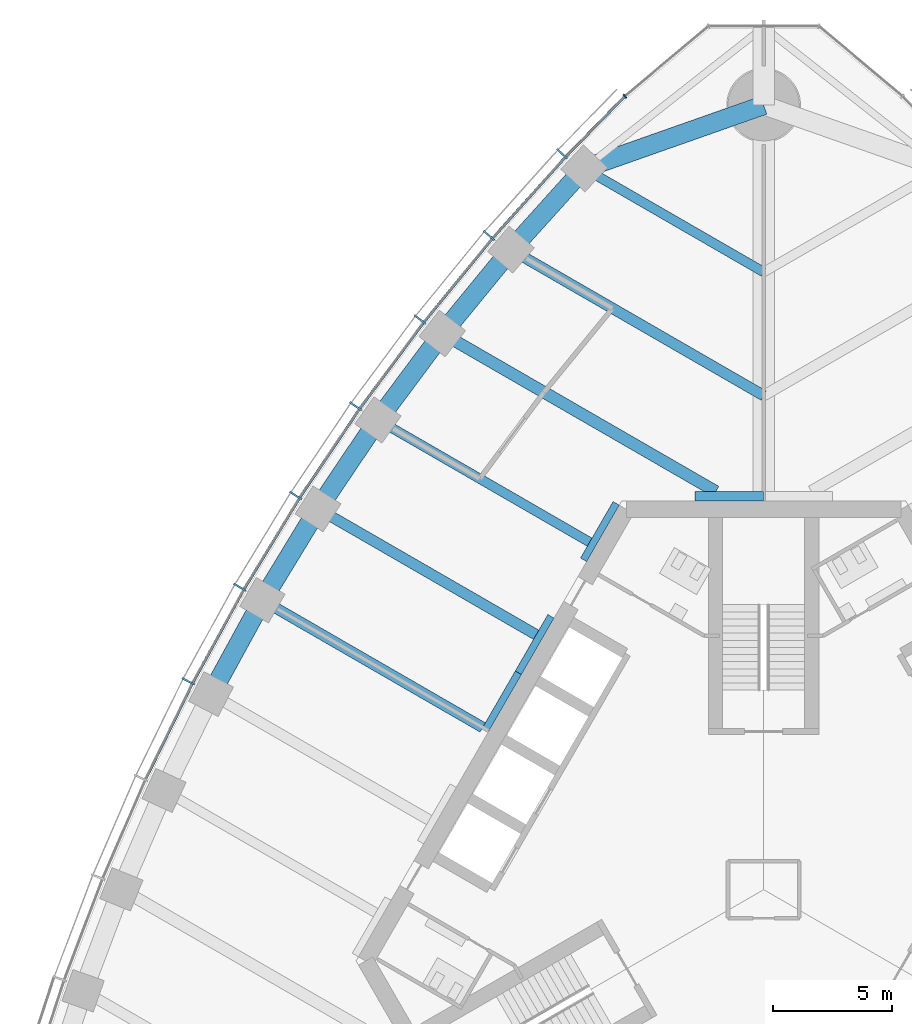
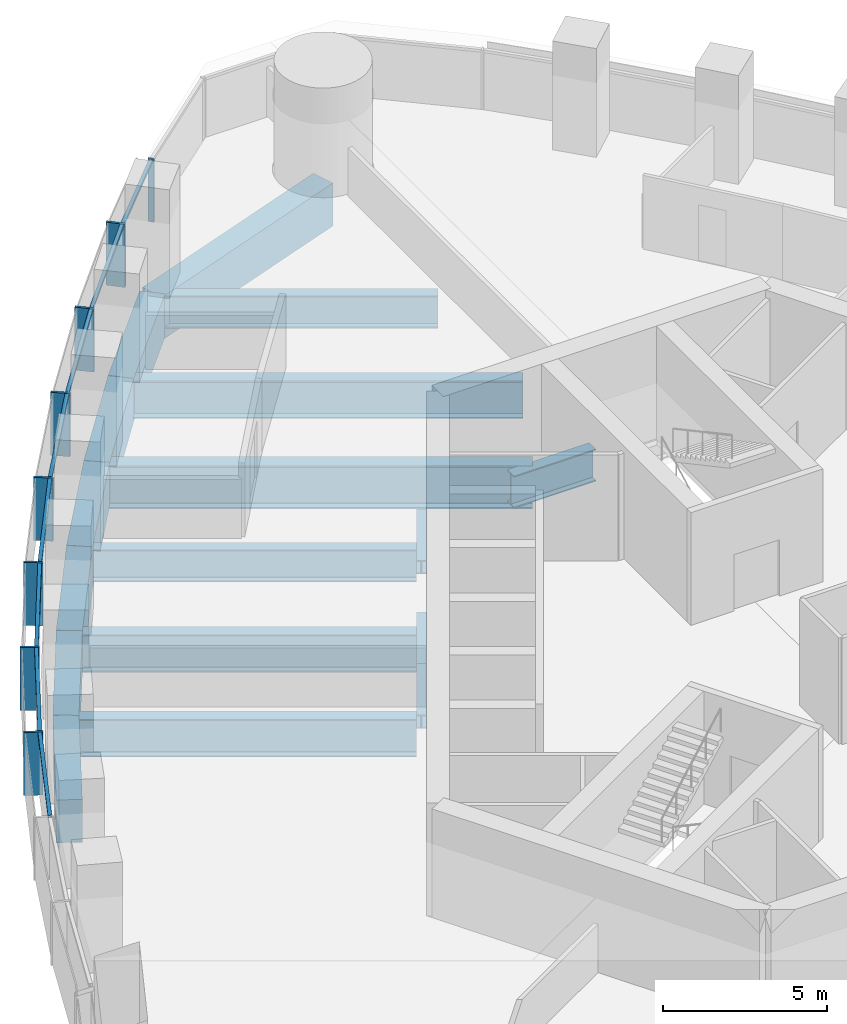
# One storey, part 5 of 19: 17 beams, 16 members, 2 elements without a shape of their own.
"""IFC4 building model written with IfcOpenShell, lengths in metres."""

import ifcopenshell
import ifcopenshell.guid

model = None  # the IFC model being written
_history = None  # IfcOwnerHistory: only IFC2X3 demands one
_inside = {}  # id of a spatial element -> (the spatial element, [elements in it])
_under = {}  # id of a project, library or spatial element -> (it, [spatial elements below it])
_declared = {}  # id of a project -> (the project, [libraries it declares])
_typed = {}  # id of a type object -> (the type object, [elements of that type])
_made_of = {}  # id of a material, layer set ... -> (it, [elements and type objects made of it])


def new_model(schema):
    """Start an empty IFC model of exactly this schema.

    Asked for "IFC4X3", IfcOpenShell would pick the latest addendum, in which some entities
    have other attributes; the version numbers below select the first issue.
    IFC2X3 requires an IfcOwnerHistory on every rooted entity: one is made here for all.
    """
    global model, _history
    if schema == "IFC4X3":
        model = ifcopenshell.file(schema_version=(4, 3, 0, 0))
    else:
        model = ifcopenshell.file(schema=schema)
    _inside.clear()
    _under.clear()
    _declared.clear()
    _typed.clear()
    _made_of.clear()
    _history = None
    if model.schema == "IFC2X3":
        org = make("IfcOrganization", Name="unknown")
        user = make(
            "IfcPersonAndOrganization",
            ThePerson=make("IfcPerson", FamilyName="unknown"),
            TheOrganization=org,
        )
        app = make(
            "IfcApplication",
            ApplicationDeveloper=org,
            Version="unknown",
            ApplicationFullName="unknown",
            ApplicationIdentifier="unknown",
        )
        _history = make(
            "IfcOwnerHistory",
            OwningUser=user,
            OwningApplication=app,
            ChangeAction="ADDED",
            CreationDate=0,
        )
    return model


def make(cls, **values):
    """One entity of the class cls with the attributes given. An attribute that is None is left unset."""
    return model.create_entity(
        cls, **{name: value for name, value in values.items() if value is not None}
    )


def rooted(cls, **values):
    """An entity with a GlobalId (a new one), such as an element, a storey or a relation."""
    return make(cls, GlobalId=ifcopenshell.guid.new(), OwnerHistory=_history, **values)


def si_unit(unit_type, name, prefix=None):
    """IfcSIUnit, for example si_unit("LENGTHUNIT", "METRE", prefix="MILLI")."""
    return make("IfcSIUnit", UnitType=unit_type, Prefix=prefix, Name=name)


def assignment(units):
    """IfcUnitAssignment: the units of a project."""
    return None if units is None else make("IfcUnitAssignment", Units=units)


def point(xyz):
    """IfcCartesianPoint."""
    return None if xyz is None else make("IfcCartesianPoint", Coordinates=xyz)


def direction(xyz):
    """IfcDirection."""
    return None if xyz is None else make("IfcDirection", DirectionRatios=xyz)


def frame(location, z_axis=None, x_axis=None):
    """IfcAxis2Placement3D, a coordinate frame: its origin and axes. An axis left out is left unset."""
    return make(
        "IfcAxis2Placement3D",
        Location=point(location),
        Axis=direction(z_axis),
        RefDirection=direction(x_axis),
    )


def frame_2d(location, x_axis=None):
    """IfcAxis2Placement2D, a coordinate frame in the plane: its origin and x axis."""
    return make(
        "IfcAxis2Placement2D", Location=point(location), RefDirection=direction(x_axis)
    )


def origin():
    """The frame at (0, 0, 0) with its axes left unset."""
    return frame((0.0, 0.0, 0.0))


def origin_2d():
    """The frame at (0, 0) in the plane with its x axis left unset."""
    return frame_2d((0.0, 0.0))


def place(relative_to, where):
    """IfcLocalPlacement: puts the frame where relative to a parent placement (None: the world)."""
    return make(
        "IfcLocalPlacement", PlacementRelTo=relative_to, RelativePlacement=where
    )


def context(
    kind, dimensions, precision=None, world=None, true_north=None, identifier=None
):
    """IfcGeometricRepresentationContext, for example the 3D "Model" context."""
    return make(
        "IfcGeometricRepresentationContext",
        ContextIdentifier=identifier,
        ContextType=kind,
        CoordinateSpaceDimension=dimensions,
        Precision=precision,
        WorldCoordinateSystem=world,
        TrueNorth=true_north,
    )


def subcontext(parent, identifier, kind, view, scale=None):
    """IfcGeometricRepresentationSubContext, for example "Body" below "Model"."""
    return make(
        "IfcGeometricRepresentationSubContext",
        ContextIdentifier=identifier,
        ContextType=kind,
        ParentContext=parent,
        TargetScale=scale,
        TargetView=view,
    )


def project(units=None, contexts=None):
    """IfcProject with its units and contexts."""
    return rooted(
        "IfcProject",
        Name="project",
        RepresentationContexts=contexts,
        UnitsInContext=assignment(units),
    )


def spatial(cls, under=None, at=None, **own):
    """A site, building, storey or space (cls), placed at a placement, below another one or the project."""
    s = rooted(cls, ObjectPlacement=at, **own)
    if under is not None:
        _under.setdefault(under.id(), (under, []))[1].append(s)
    return s


def profile(cls, at=None, kind="AREA", **sizes):
    """A parametric profile (cls). Its sizes go by their IFC names, for example OverallWidth=200.0."""
    return make(cls, ProfileType=kind, Position=at, **sizes)


def rectangle(**sizes):
    """IfcRectangleProfileDef."""
    return profile("IfcRectangleProfileDef", **sizes)


def i_section(**sizes):
    """IfcIShapeProfileDef."""
    return profile("IfcIShapeProfileDef", **sizes)


def extrude(swept, where, along, depth):
    """IfcExtrudedAreaSolid: the profile swept, set in the frame where, extruded along a direction by depth."""
    return make(
        "IfcExtrudedAreaSolid",
        SweptArea=swept,
        Position=where,
        ExtrudedDirection=direction(along),
        Depth=depth,
    )


def shape(context_of_items, identifier, shape_type, items):
    """IfcShapeRepresentation: the items that make up one representation, for example the "Body"."""
    return make(
        "IfcShapeRepresentation",
        ContextOfItems=context_of_items,
        RepresentationIdentifier=identifier,
        RepresentationType=shape_type,
        Items=items,
    )


def material(Name=None, Category=None):
    """IfcMaterial."""
    return make("IfcMaterial", Name=Name, Category=Category)


def material_profile(
    of_material, cross_section, Name=None, Category=None, Priority=None
):
    """IfcMaterialProfile: a cross section and its material."""
    return make(
        "IfcMaterialProfile",
        Name=Name,
        Material=of_material,
        Profile=cross_section,
        Priority=Priority,
        Category=Category,
    )


def profile_set(profiles, Name=None, composite=None):
    """IfcMaterialProfileSet."""
    return make(
        "IfcMaterialProfileSet",
        Name=Name,
        MaterialProfiles=profiles,
        CompositeProfile=composite,
    )


def made_of(thing, what):
    """Note that an element or type object is made of a material, layer set ...; save() writes the relation."""
    if what is not None:
        _made_of.setdefault(what.id(), (what, []))[1].append(thing)
    return thing


def type_object(cls, material=None, **own):
    """A type object (cls), such as IfcWallType, which elements share."""
    return made_of(rooted(cls, **own), material)


def element(
    cls,
    number,
    at=None,
    inside=None,
    cuts=None,
    type_object=None,
    material=None,
    context=None,
    identifier="Body",
    shape_type=None,
    held_by="IfcProductDefinitionShape",
    body=None,
    shapes=None,
    **own,
):
    """One element of the class cls, such as IfcWall. Its Tag is "e" and its number.

    at: its placement. inside: the storey or other place that contains it. cuts: it is an
    opening in that element (IfcRelVoidsElement). A single representation is given by context,
    identifier, shape_type and body (its items); several are given by shapes. held_by: the class
    of the entity that holds the representations. save() writes the other relations.
    """
    e = rooted(cls, Tag="e%d" % number, ObjectPlacement=at, **own)
    if body is not None:
        shapes = [shape(context, identifier, shape_type, body)]
    if shapes is not None:
        e.Representation = make(held_by, Representations=shapes)
    if inside is not None:
        _inside.setdefault(inside.id(), (inside, []))[1].append(e)
    if cuts is not None:
        rooted(
            "IfcRelVoidsElement", RelatingBuildingElement=cuts, RelatedOpeningElement=e
        )
    if type_object is not None:
        _typed.setdefault(type_object.id(), (type_object, []))[1].append(e)
    return made_of(e, material)


def aggregate(whole, parts):
    """IfcRelAggregates: a whole, such as a stair, and the parts it consists of."""
    return rooted("IfcRelAggregates", RelatingObject=whole, RelatedObjects=parts)


def save(model, path):
    """Write the relations noted so far, then the file.

    IfcRelAggregates (storeys below a building ...), IfcRelContainedInSpatialStructure (elements
    in a storey), IfcRelDefinesByType, IfcRelAssociatesMaterial and IfcRelDeclares: one each for
    every whole, place, type object, material and project.
    """
    for whole, parts in _under.values():
        aggregate(whole, parts)
    for where, things in _inside.values():
        rooted(
            "IfcRelContainedInSpatialStructure",
            RelatedElements=things,
            RelatingStructure=where,
        )
    for kind, things in _typed.values():
        rooted("IfcRelDefinesByType", RelatedObjects=things, RelatingType=kind)
    for what, things in _made_of.values():
        rooted("IfcRelAssociatesMaterial", RelatedObjects=things, RelatingMaterial=what)
    for by, libraries in _declared.values():
        rooted("IfcRelDeclares", RelatingContext=by, RelatedDefinitions=libraries)
    model.write(path)


model = new_model("IFC4")

# Units and contexts
model_context = context("Model", 3, precision=1e-05, world=origin(), true_north=direction((0.0, 1.0)))
body_context = subcontext(model_context, "Body", "Model", "MODEL_VIEW")
ifc_project = project(units=[si_unit("LENGTHUNIT", "METRE"), si_unit("AREAUNIT", "SQUARE_METRE"), si_unit("VOLUMEUNIT", "CUBIC_METRE"), si_unit("PLANEANGLEUNIT", "RADIAN"), si_unit("MASSUNIT", "GRAM", prefix="KILO")], contexts=[model_context])

# Site, building, storey
site_placement = place(None, origin())
site = spatial("IfcSite", under=ifc_project, at=site_placement, CompositionType="ELEMENT")
building_placement = place(site_placement, origin())
building = spatial("IfcBuilding", under=site, at=building_placement, Name="Trefoil Bronze Tower", CompositionType="ELEMENT")
storey_placement = place(building_placement, frame((0.0, 0.0, 261.10009765625)))
storey = spatial("IfcBuildingStorey", under=building, at=storey_placement, Name="L60", CompositionType="ELEMENT", Elevation=261.10009765625)

# Curtain wall, members
ifc_material_1 = material(Name="Tinted solar-control glass", Category="glass")
curtain_wall_type_1 = type_object("IfcCurtainWallType", Name="Bronze office curtain wall", PredefinedType="USERDEFINED", material=ifc_material_1)
curtain_wall_1_placement = place(storey_placement, origin())
curtain_wall_1 = element("IfcCurtainWall", 1, at=curtain_wall_1_placement, inside=storey, type_object=curtain_wall_type_1, Name="CW-A L60 F3", ObjectType="CURTAIN WALL", PredefinedType="USERDEFINED")
ifc_material_2 = material(Name="Bronze-finish aluminium", Category="aluminium")
ifc_material_profile_1 = material_profile(ifc_material_2, rectangle(XDim=0.60009765625, YDim=0.080078125, at=origin_2d()), Name="CW-A mullion")
ifc_profile_set_1 = profile_set([ifc_material_profile_1], Name="Bronze-finish aluminium")
member_type_1 = type_object("IfcMemberType", Name="Bronze office curtain wall mullion", PredefinedType="MULLION", material=ifc_profile_set_1)
member_1_placement = place(storey_placement, frame((-8.482177734375, 30.95654296875, 0.0), z_axis=(0.0, 0.0, 1.0), x_axis=(0.729859580661, -0.683597098091, 0.0)))
member_1 = element("IfcMember", 2, at=member_1_placement, type_object=member_type_1, Name="CW-A L60 F3 mullion 2", PredefinedType="MULLION", context=body_context, shape_type="SweptSolid", body=[
    extrude(rectangle(XDim=0.60009765625, YDim=0.080078125, at=origin_2d()), origin(), (0.0, 0.0, 1.0), 2.349853515625),
])
member_2_placement = place(storey_placement, frame((-11.564697265625, 27.525146484375, 0.0), z_axis=(0.0, 0.0, 1.0), x_axis=(0.75935470958, -0.650676897576, 0.0)))
member_2 = element("IfcMember", 3, at=member_2_placement, type_object=member_type_1, Name="CW-A L60 F3 mullion 3", PredefinedType="MULLION", context=body_context, shape_type="SweptSolid", body=[
    extrude(rectangle(XDim=0.60009765625, YDim=0.080078125, at=origin_2d()), origin(), (0.0, 0.0, 1.0), 2.349853515625),
])
member_3_placement = place(storey_placement, frame((-14.45849609375, 23.98388671875, 0.0), z_axis=(0.0, 0.0, 1.0), x_axis=(0.788821461078, -0.614622406476, 0.0)))
member_3 = element("IfcMember", 4, at=member_3_placement, type_object=member_type_1, Name="CW-A L60 F3 mullion 4", PredefinedType="MULLION", context=body_context, shape_type="SweptSolid", body=[
    extrude(rectangle(XDim=0.60009765625, YDim=0.080078125, at=origin_2d()), origin(), (0.0, 0.0, 1.0), 2.349853515625),
])
member_4_placement = place(storey_placement, frame((-17.167236328125, 20.335693359375, 0.0), z_axis=(0.0, 0.0, 1.0), x_axis=(0.81640398396, -0.577481198806, 0.0)))
member_4 = element("IfcMember", 5, at=member_4_placement, type_object=member_type_1, Name="CW-A L60 F3 mullion 5", PredefinedType="MULLION", context=body_context, shape_type="SweptSolid", body=[
    extrude(rectangle(XDim=0.60009765625, YDim=0.080078125, at=origin_2d()), origin(), (0.0, 0.0, 1.0), 2.349853515625),
])
member_5_placement = place(storey_placement, frame((-19.694091796875, 16.58251953125, 0.0), z_axis=(0.0, 0.0, 1.0), x_axis=(0.842132664593, -0.539270410114, 0.0)))
member_5 = element("IfcMember", 6, at=member_5_placement, type_object=member_type_1, Name="CW-A L60 F3 mullion 6", PredefinedType="MULLION", context=body_context, shape_type="SweptSolid", body=[
    extrude(rectangle(XDim=0.60009765625, YDim=0.080078125, at=origin_2d()), origin(), (0.0, 0.0, 1.0), 2.349853515625),
])
member_6_placement = place(storey_placement, frame((-22.041015625, 12.725341796875, 0.0), z_axis=(0.0, 0.0, 1.0), x_axis=(0.866025403784, -0.5, 0.0)))
member_6 = element("IfcMember", 7, at=member_6_placement, type_object=member_type_1, Name="CW-A L60 F3 mullion 7", PredefinedType="MULLION", context=body_context, shape_type="SweptSolid", body=[
    extrude(rectangle(XDim=0.60009765625, YDim=0.080078125, at=origin_2d()), origin(), (0.0, 0.0, 1.0), 2.349853515625),
])
member_7_placement = place(storey_placement, frame((-24.2080078125, 8.764404296875, 0.0), z_axis=(0.0, 0.0, 1.0), x_axis=(0.888088206965, -0.459673075837, 0.0)))
member_7 = element("IfcMember", 8, at=member_7_placement, type_object=member_type_1, Name="CW-A L60 F3 mullion 8", PredefinedType="MULLION", context=body_context, shape_type="SweptSolid", body=[
    extrude(rectangle(XDim=0.60009765625, YDim=0.080078125, at=origin_2d()), origin(), (0.0, 0.0, 1.0), 2.349853515625),
])
ifc_material_3 = material(Name="Bronze-finish aluminium", Category="aluminium")
ifc_material_profile_2 = material_profile(ifc_material_3, rectangle(XDim=0.1201171875, YDim=0.10009765625, at=origin_2d()), Name="CW-A transom")
ifc_profile_set_2 = profile_set([ifc_material_profile_2], Name="Bronze-finish aluminium")
member_type_2 = type_object("IfcMemberType", Name="Bronze office curtain wall transom", PredefinedType="USERDEFINED", material=ifc_profile_set_2)
member_8_placement = place(storey_placement, frame((-5.873046875, 33.342529296875, 2.2998046875), z_axis=(-0.698646935368, -0.715466602785, 0.0), x_axis=(0.715466602785, -0.698646935368, 0.0)))
member_8 = element("IfcMember", 9, at=member_8_placement, type_object=member_type_2, Name="CW-A L60 F3 transom 1", ObjectType="TRANSOM", PredefinedType="USERDEFINED", context=body_context, shape_type="SweptSolid", body=[
    extrude(rectangle(XDim=0.1201171875, YDim=0.10009765625, at=origin_2d()), origin(), (0.0, 0.0, 1.0), 3.483642578125),
])
member_9_placement = place(storey_placement, frame((-8.364501953125, 30.78857421875, 2.2998046875), z_axis=(-0.66825109551, -0.743935799213, 0.0), x_axis=(0.743935799213, -0.66825109551, 0.0)))
member_9 = element("IfcMember", 10, at=member_9_placement, type_object=member_type_2, Name="CW-A L60 F3 transom 2", ObjectType="TRANSOM", PredefinedType="USERDEFINED", context=body_context, shape_type="SweptSolid", body=[
    extrude(rectangle(XDim=0.1201171875, YDim=0.10009765625, at=origin_2d()), origin(), (0.0, 0.0, 1.0), 4.519287109375),
])
member_10_placement = place(storey_placement, frame((-11.439453125, 27.3623046875, 2.2998046875), z_axis=(-0.632756871921, -0.774350528531, 0.0), x_axis=(0.774350528531, -0.632756871921, 0.0)))
member_10 = element("IfcMember", 11, at=member_10_placement, type_object=member_type_2, Name="CW-A L60 F3 transom 3", ObjectType="TRANSOM", PredefinedType="USERDEFINED", context=body_context, shape_type="SweptSolid", body=[
    extrude(rectangle(XDim=0.1201171875, YDim=0.10009765625, at=origin_2d()), origin(), (0.0, 0.0, 1.0), 4.4794921875),
])
member_11_placement = place(storey_placement, frame((-14.325927734375, 23.826904296875, 2.2998046875), z_axis=(-0.59614822717, -0.802874393191, 0.0), x_axis=(0.802874393191, -0.59614822717, 0.0)))
member_11 = element("IfcMember", 12, at=member_11_placement, type_object=member_type_2, Name="CW-A L60 F3 transom 4", ObjectType="TRANSOM", PredefinedType="USERDEFINED", context=body_context, shape_type="SweptSolid", body=[
    extrude(rectangle(XDim=0.1201171875, YDim=0.10009765625, at=origin_2d()), origin(), (0.0, 0.0, 1.0), 4.449951171875),
])
member_12_placement = place(storey_placement, frame((-17.027587890625, 20.18505859375, 2.2998046875), z_axis=(-0.558509087547, -0.829498402125, 0.0), x_axis=(0.829498402125, -0.558509087547, 0.0)))
member_12 = element("IfcMember", 13, at=member_12_placement, type_object=member_type_2, Name="CW-A L60 F3 transom 5", ObjectType="TRANSOM", PredefinedType="USERDEFINED", context=body_context, shape_type="SweptSolid", body=[
    extrude(rectangle(XDim=0.1201171875, YDim=0.10009765625, at=origin_2d()), origin(), (0.0, 0.0, 1.0), 4.4306640625),
])
member_13_placement = place(storey_placement, frame((-19.5478515625, 16.4384765625, 2.2998046875), z_axis=(-0.519740214649, -0.854324358354, 0.0), x_axis=(0.854324358354, -0.519740214649, 0.0)))
member_13 = element("IfcMember", 14, at=member_13_placement, type_object=member_type_2, Name="CW-A L60 F3 transom 6", ObjectType="TRANSOM", PredefinedType="USERDEFINED", context=body_context, shape_type="SweptSolid", body=[
    extrude(rectangle(XDim=0.1201171875, YDim=0.10009765625, at=origin_2d()), origin(), (0.0, 0.0, 1.0), 4.421142578125),
])
member_14_placement = place(storey_placement, frame((-21.887939453125, 12.588134765625, 2.2998046875), z_axis=(-0.479973729071, -0.877282861683, 0.0), x_axis=(0.877282861683, -0.479973729071, 0.0)))
member_14 = element("IfcMember", 15, at=member_14_placement, type_object=member_type_2, Name="CW-A L60 F3 transom 7", ObjectType="TRANSOM", PredefinedType="USERDEFINED", context=body_context, shape_type="SweptSolid", body=[
    extrude(rectangle(XDim=0.1201171875, YDim=0.10009765625, at=origin_2d()), origin(), (0.0, 0.0, 1.0), 4.421142578125),
])
member_15_placement = place(storey_placement, frame((-24.048828125, 8.634521484375, 2.2998046875), z_axis=(-0.439150835991, -0.898413347657, 0.0), x_axis=(0.898413347657, -0.439150835991, 0.0)))
member_15 = element("IfcMember", 16, at=member_15_placement, type_object=member_type_2, Name="CW-A L60 F3 transom 8", ObjectType="TRANSOM", PredefinedType="USERDEFINED", context=body_context, shape_type="SweptSolid", body=[
    extrude(rectangle(XDim=0.1201171875, YDim=0.10009765625, at=origin_2d()), origin(), (0.0, 0.0, 1.0), 4.430908203125),
])
aggregate(curtain_wall_1, [member_1, member_2, member_3, member_4, member_5, member_6, member_7, member_8, member_9, member_10, member_11, member_12, member_13, member_14, member_15])

# Curtain wall, member
ifc_material_4 = material(Name="Tinted solar-control glass", Category="glass")
curtain_wall_type_2 = type_object("IfcCurtainWallType", Name="Bronze rounded corner curtain wall", PredefinedType="USERDEFINED", material=ifc_material_4)
curtain_wall_2_placement = place(storey_placement, origin())
curtain_wall_2 = element("IfcCurtainWall", 17, at=curtain_wall_2_placement, inside=storey, type_object=curtain_wall_type_2, Name="CW-B L60 K2", ObjectType="CURTAIN WALL", PredefinedType="USERDEFINED")
ifc_material_5 = material(Name="Bronze-finish aluminium", Category="aluminium")
ifc_material_profile_3 = material_profile(ifc_material_5, rectangle(XDim=0.199951171875, YDim=0.06005859375, at=origin_2d()), Name="CW-B mullion")
ifc_profile_set_3 = profile_set([ifc_material_profile_3], Name="Bronze-finish aluminium")
member_type_3 = type_object("IfcMemberType", Name="Bronze rounded corner curtain wall mullion", PredefinedType="MULLION", material=ifc_profile_set_3)
member_16_placement = place(storey_placement, frame((-5.837890625, 33.3779296875, 0.0), z_axis=(0.0, 0.0, 1.0), x_axis=(0.642787609687, -0.766044443119, 0.0)))
member_16 = element("IfcMember", 18, at=member_16_placement, type_object=member_type_3, Name="CW-B L60 K2 mullion 4", PredefinedType="MULLION", context=body_context, shape_type="SweptSolid", body=[
    extrude(rectangle(XDim=0.199951171875, YDim=0.06005859375, at=origin_2d()), origin(), (0.0, 0.0, 1.0), 2.349853515625),
])
aggregate(curtain_wall_2, [member_16])

# Beams
ifc_material_6 = material(Name="Steel C355", Category="steel")
ifc_material_profile_4 = material_profile(ifc_material_6, i_section(OverallWidth=0.300048828125, OverallDepth=0.5, WebThickness=0.014404296875, FlangeThickness=0.028076171875, FilletRadius=0.027099609375, at=origin_2d()), Name="HEB 500")
ifc_profile_set_4 = profile_set([ifc_material_profile_4], Name="Steel C355")
beam_type_1 = type_object("IfcBeamType", Name="Core seat beam HEB 500", PredefinedType="BEAM", material=ifc_profile_set_4)
for number, where, z_axis, x_axis, name in (
    (19, (-6.20654296875, 16.25, -0.4501953125), (-0.499969057507, -0.866043267704, 0.0), (0.866043267704, -0.499969057507, 0.0), "Core seat beam F3/-2 L60"),
    (20, (-8.948974609375, 11.5, -0.4501953125), (-0.499969057507, -0.866043267704, 0.0), (0.866043267704, -0.499969057507, 0.0), "Core seat beam F3/-1 L60"),
    (21, (-10.320068359375, 9.125, -0.4501953125), (-0.500035825175, -0.866004719122, 0.0), (0.866004719122, -0.500035825175, 0.0), "Core seat beam F3/+0 L60"),
):
    element("IfcBeam", number, at=place(storey_placement, frame(where, z_axis=z_axis, x_axis=x_axis)), inside=storey, type_object=beam_type_1, Name=name, PredefinedType="BEAM", context=body_context, shape_type="SweptSolid", body=[
        extrude(i_section(OverallWidth=0.300048828125, OverallDepth=0.5, WebThickness=0.014404296875, FlangeThickness=0.028076171875, FilletRadius=0.027099609375, at=origin_2d()), origin(), (0.0, 0.0, 1.0), 2.742431640625),
    ])
ifc_material_7 = material(Name="Steel C355", Category="steel")
ifc_material_profile_5 = material_profile(ifc_material_7, i_section(OverallWidth=0.39990234375, OverallDepth=1.199951171875, WebThickness=0.02001953125, FlangeThickness=0.0400390625, FilletRadius=0.010009765625, at=origin_2d()), Name="WPG 1200")
ifc_profile_set_5 = profile_set([ifc_material_profile_5], Name="Steel C355")
beam_type_2 = type_object("IfcBeamType", Name="Core seat beam WPG 1200", PredefinedType="BEAM", material=ifc_profile_set_5)
beam_1_placement = place(storey_placement, frame((0.0, 16.550048828125, -0.800048828125), z_axis=(-1.0, 0.0, 0.0), x_axis=(0.0, -1.0, 0.0)))
element("IfcBeam", 22, at=beam_1_placement, inside=storey, type_object=beam_type_2, Name="Core seat beam F3/-3 L60", PredefinedType="BEAM", context=body_context, shape_type="SweptSolid", body=[
    extrude(i_section(OverallWidth=0.39990234375, OverallDepth=1.199951171875, WebThickness=0.02001953125, FlangeThickness=0.0400390625, FilletRadius=0.010009765625, at=origin_2d()), origin(), (0.0, 0.0, 1.0), 2.88671875),
])
ifc_material_8 = material(Name="Concrete B80", Category="concrete")
ifc_material_profile_6 = material_profile(ifc_material_8, rectangle(XDim=0.800048828125, YDim=1.60009765625, at=origin_2d()), Name="RC 800x1600")
ifc_profile_set_6 = profile_set([ifc_material_profile_6], Name="Concrete B80")
beam_type_3 = type_object("IfcBeamType", Name="End spandrel beam RC 800x1600", PredefinedType="SPANDREL", material=ifc_profile_set_6)
beam_2_placement = place(storey_placement, frame((0.0, 33.0, -1.0), z_axis=(-0.943234397359, -0.332127794137, 0.0), x_axis=(0.332127794137, -0.943234397359, 0.0)))
element("IfcBeam", 23, at=beam_2_placement, inside=storey, type_object=beam_type_3, Name="Spandrel F3.1 L60", PredefinedType="SPANDREL", context=body_context, shape_type="SweptSolid", body=[
    extrude(rectangle(XDim=0.800048828125, YDim=1.60009765625, at=origin_2d()), origin(), (0.0, 0.0, 1.0), 8.006591796875),
])
ifc_material_9 = material(Name="Steel C355", Category="steel")
ifc_material_profile_7 = material_profile(ifc_material_9, i_section(OverallWidth=0.39990234375, OverallDepth=1.199951171875, WebThickness=0.02001953125, FlangeThickness=0.0400390625, FilletRadius=0.010009765625, at=origin_2d()), Name="WPG 1200")
ifc_profile_set_7 = profile_set([ifc_material_profile_7], Name="Steel C355")
beam_type_4 = type_object("IfcBeamType", Name="Floor beam WPG 1200", PredefinedType="BEAM", material=ifc_profile_set_7)
beam_3_placement = place(storey_placement, frame((-7.552001953125, 30.3408203125, -0.800048828125), z_axis=(0.866027535932, -0.499996306993, 0.0), x_axis=(0.499996306993, 0.866027535932, 0.0)))
element("IfcBeam", 24, at=beam_3_placement, inside=storey, type_object=beam_type_4, Name="Floor beam F3/-5 L60", PredefinedType="BEAM", context=body_context, shape_type="SweptSolid", body=[
    extrude(i_section(OverallWidth=0.39990234375, OverallDepth=1.199951171875, WebThickness=0.02001953125, FlangeThickness=0.0400390625, FilletRadius=0.010009765625, at=origin_2d()), origin(), (0.0, 0.0, 1.0), 8.72021484375),
])
beam_4_placement = place(storey_placement, frame((-16.2265625, 19.7607421875, -0.800048828125), z_axis=(0.866019527493, -0.500010177898, 0.0), x_axis=(0.500010177898, 0.866019527493, 0.0)))
element("IfcBeam", 25, at=beam_4_placement, inside=storey, type_object=beam_type_4, Name="Floor beam F3/-2 L60", PredefinedType="BEAM", context=body_context, shape_type="SweptSolid", body=[
    extrude(i_section(OverallWidth=0.39990234375, OverallDepth=1.199951171875, WebThickness=0.02001953125, FlangeThickness=0.0400390625, FilletRadius=0.010009765625, at=origin_2d()), origin(), (0.0, 0.0, 1.0), 10.282958984375),
])
ifc_material_10 = material(Name="Steel C355", Category="steel")
ifc_material_profile_8 = material_profile(ifc_material_10, i_section(OverallWidth=0.449951171875, OverallDepth=1.39990234375, WebThickness=0.02294921875, FlangeThickness=0.044921875, FilletRadius=0.011962890625, at=origin_2d()), Name="WPG 1400")
ifc_profile_set_8 = profile_set([ifc_material_profile_8], Name="Steel C355")
beam_type_5 = type_object("IfcBeamType", Name="Floor beam WPG 1400", PredefinedType="BEAM", material=ifc_profile_set_8)
beam_5_placement = place(storey_placement, frame((-10.632080078125, 26.923095703125, -0.900146484375), z_axis=(0.866025635187, -0.499999599199, 0.0), x_axis=(0.499999599199, 0.866025635187, 0.0)))
element("IfcBeam", 26, at=beam_5_placement, inside=storey, type_object=beam_type_5, Name="Floor beam F3/-4 L60", PredefinedType="BEAM", context=body_context, shape_type="SweptSolid", body=[
    extrude(i_section(OverallWidth=0.449951171875, OverallDepth=1.39990234375, WebThickness=0.02294921875, FlangeThickness=0.044921875, FilletRadius=0.011962890625, at=origin_2d()), origin(), (0.0, 0.0, 1.0), 12.27685546875),
])
beam_6_placement = place(storey_placement, frame((-18.748046875, 16.020263671875, -0.900146484375), z_axis=(0.86602981261, -0.499992363612, 0.0), x_axis=(0.499992363612, 0.86602981261, 0.0)))
element("IfcBeam", 27, at=beam_6_placement, inside=storey, type_object=beam_type_5, Name="Floor beam F3/-1 L60", PredefinedType="BEAM", context=body_context, shape_type="SweptSolid", body=[
    extrude(i_section(OverallWidth=0.449951171875, OverallDepth=1.39990234375, WebThickness=0.02294921875, FlangeThickness=0.044921875, FilletRadius=0.011962890625, at=origin_2d()), origin(), (0.0, 0.0, 1.0), 10.596435546875),
])
beam_7_placement = place(storey_placement, frame((-21.08837890625, 12.17529296875, -0.900146484375), z_axis=(0.86602601154, -0.499998947334, 0.0), x_axis=(0.499998947334, 0.86602601154, 0.0)))
element("IfcBeam", 28, at=beam_7_placement, inside=storey, type_object=beam_type_5, Name="Floor beam F3/+0 L60", PredefinedType="BEAM", context=body_context, shape_type="SweptSolid", body=[
    extrude(i_section(OverallWidth=0.449951171875, OverallDepth=1.39990234375, WebThickness=0.02294921875, FlangeThickness=0.044921875, FilletRadius=0.011962890625, at=origin_2d()), origin(), (0.0, 0.0, 1.0), 10.70068359375),
])
ifc_material_11 = material(Name="Steel C355", Category="steel")
ifc_material_profile_9 = material_profile(ifc_material_11, i_section(OverallWidth=0.5, OverallDepth=1.60009765625, WebThickness=0.02587890625, FlangeThickness=0.050048828125, FilletRadius=0.011962890625, at=origin_2d()), Name="WPG 1600")
ifc_profile_set_9 = profile_set([ifc_material_profile_9], Name="Steel C355")
beam_type_6 = type_object("IfcBeamType", Name="Floor beam WPG 1600", PredefinedType="BEAM", material=ifc_profile_set_9)
beam_8_placement = place(storey_placement, frame((-13.522216796875, 23.3955078125, -1.0), z_axis=(0.866023461342, -0.500003364394, 0.0), x_axis=(0.500003364394, 0.866023461342, 0.0)))
element("IfcBeam", 29, at=beam_8_placement, inside=storey, type_object=beam_type_6, Name="Floor beam F3/-3 L60", PredefinedType="BEAM", context=body_context, shape_type="SweptSolid", body=[
    extrude(i_section(OverallWidth=0.5, OverallDepth=1.60009765625, WebThickness=0.02587890625, FlangeThickness=0.050048828125, FilletRadius=0.011962890625, at=origin_2d()), origin(), (0.0, 0.0, 1.0), 13.291015625),
])
ifc_material_12 = material(Name="Concrete B80", Category="concrete")
ifc_material_profile_10 = material_profile(ifc_material_12, rectangle(XDim=0.800048828125, YDim=1.60009765625, at=origin_2d()), Name="RC 800x1600")
ifc_profile_set_10 = profile_set([ifc_material_profile_10], Name="Concrete B80")
beam_type_7 = type_object("IfcBeamType", Name="Spandrel beam RC 800x1600", PredefinedType="SPANDREL", material=ifc_profile_set_10)
beam_9_placement = place(storey_placement, frame((-7.552001953125, 30.3408203125, -1.0), z_axis=(-0.669460045872, -0.742848064534, 0.0), x_axis=(0.742848064534, -0.669460045872, 0.0)))
element("IfcBeam", 30, at=beam_9_placement, inside=storey, type_object=beam_type_7, Name="Spandrel F3.2 L60", PredefinedType="SPANDREL", context=body_context, shape_type="SweptSolid", body=[
    extrude(rectangle(XDim=0.800048828125, YDim=1.60009765625, at=origin_2d()), origin(), (0.0, 0.0, 1.0), 4.600830078125),
])
beam_10_placement = place(storey_placement, frame((-10.632080078125, 26.923095703125, -1.0), z_axis=(-0.633753657863, -0.773534938542, 0.0), x_axis=(0.773534938542, -0.633753657863, 0.0)))
element("IfcBeam", 31, at=beam_10_placement, inside=storey, type_object=beam_type_7, Name="Spandrel F3.3 L60", PredefinedType="SPANDREL", context=body_context, shape_type="SweptSolid", body=[
    extrude(rectangle(XDim=0.800048828125, YDim=1.60009765625, at=origin_2d()), origin(), (0.0, 0.0, 1.0), 4.560302734375),
])
beam_11_placement = place(storey_placement, frame((-13.522216796875, 23.3955078125, -1.0), z_axis=(-0.596926078257, -0.802296240236, 0.0), x_axis=(0.802296240236, -0.596926078257, 0.0)))
element("IfcBeam", 32, at=beam_11_placement, inside=storey, type_object=beam_type_7, Name="Spandrel F3.4 L60", PredefinedType="SPANDREL", context=body_context, shape_type="SweptSolid", body=[
    extrude(rectangle(XDim=0.800048828125, YDim=1.60009765625, at=origin_2d()), origin(), (0.0, 0.0, 1.0), 4.530517578125),
])
beam_12_placement = place(storey_placement, frame((-16.2265625, 19.7607421875, -1.0), z_axis=(-0.558964302753, -0.829191719838, 0.0), x_axis=(0.829191719838, -0.558964302753, 0.0)))
element("IfcBeam", 33, at=beam_12_placement, inside=storey, type_object=beam_type_7, Name="Spandrel F3.5 L60", PredefinedType="SPANDREL", context=body_context, shape_type="SweptSolid", body=[
    extrude(rectangle(XDim=0.800048828125, YDim=1.60009765625, at=origin_2d()), origin(), (0.0, 0.0, 1.0), 4.510986328125),
])
for number, where, z_axis, x_axis, name in (
    (34, (-18.748046875, 16.020263671875, -1.0), (-0.519933181394, -0.854206934464, 0.0), (0.854206934464, -0.519933181394, 0.0), "Spandrel F3.6 L60"),
    (35, (-21.08837890625, 12.17529296875, -1.0), (-0.479801903802, -0.87737684783, 0.0), (0.87737684783, -0.479801903802, 0.0), "Spandrel F3.7 L60"),
):
    element("IfcBeam", number, at=place(storey_placement, frame(where, z_axis=z_axis, x_axis=x_axis)), inside=storey, type_object=beam_type_7, Name=name, PredefinedType="SPANDREL", context=body_context, shape_type="SweptSolid", body=[
        extrude(rectangle(XDim=0.800048828125, YDim=1.60009765625, at=origin_2d()), origin(), (0.0, 0.0, 1.0), 4.501220703125),
    ])

save(model, "model.ifc")
